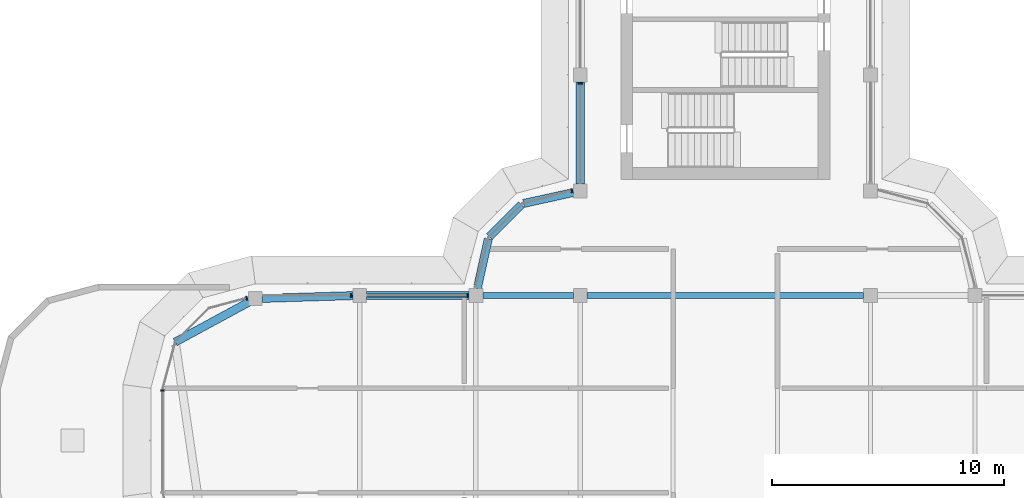
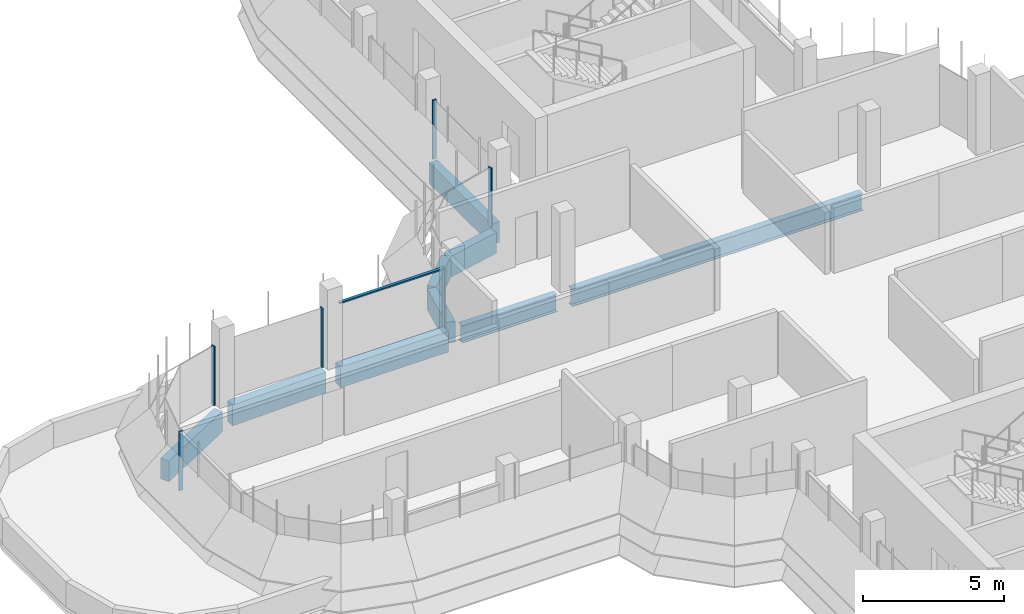
# One storey, part 6 of 20: 9 beams, 7 members, 5 elements without a shape of their own.
"""IFC4 building model written with IfcOpenShell, lengths in metres."""

from ifc_helpers import new_model, si_unit, direction, frame, origin, origin_2d, place, context, subcontext, project, spatial, polyline, rectangle, i_section, outline, extrude, source, transform, mapped, material, material_profile, profile_set, type_object, element, aggregate, save


model = new_model("IFC4")

# Units and contexts
model_context = context("Model", 3, precision=1e-05, world=origin(), true_north=direction((0.0, 1.0)))
body_context = subcontext(model_context, "Body", "Model", "MODEL_VIEW")
ifc_project = project(units=[si_unit("LENGTHUNIT", "METRE"), si_unit("AREAUNIT", "SQUARE_METRE"), si_unit("VOLUMEUNIT", "CUBIC_METRE"), si_unit("PLANEANGLEUNIT", "RADIAN"), si_unit("MASSUNIT", "GRAM", prefix="KILO")], contexts=[model_context])

# Site, building, storey
site_placement = place(None, origin())
site = spatial("IfcSite", under=ifc_project, at=site_placement, CompositionType="ELEMENT")
building_placement = place(site_placement, origin())
building = spatial("IfcBuilding", under=site, at=building_placement, Name="Zarbagh Exchange Tower", CompositionType="ELEMENT")
storey_placement = place(building_placement, frame((0.0, 0.0, 291.60009765625)))
storey = spatial("IfcBuildingStorey", under=building, at=storey_placement, Name="L71", CompositionType="ELEMENT", Elevation=291.60009765625)

# Beams
ifc_material_1 = material(Name="Steel ASTM A992 Gr 50", Category="steel")
ifc_material_profile_1 = material_profile(ifc_material_1, i_section(OverallWidth=0.26416015625, OverallDepth=0.749267578125, WebThickness=0.011962890625, FlangeThickness=0.015380859375, at=origin_2d()), Name="W30X90")
ifc_profile_set_1 = profile_set([ifc_material_profile_1], Name="Steel ASTM A992 Gr 50")
beam_type_1 = type_object("IfcBeamType", Name="Floor girder W30X90", PredefinedType="BEAM", material=ifc_profile_set_1)
beam_1_placement = place(storey_placement, frame((-10.449951171875, 6.25, -0.524658203125), z_axis=(1.0, 0.0, 0.0), x_axis=(0.0, 1.0, 0.0)))
element("IfcBeam", 1, at=beam_1_placement, inside=storey, type_object=beam_type_1, Name="Steel girder", PredefinedType="BEAM", context=body_context, shape_type="SweptSolid", body=[
    extrude(i_section(OverallWidth=0.26416015625, OverallDepth=0.749267578125, WebThickness=0.011962890625, FlangeThickness=0.015380859375, at=origin_2d()), origin(), (0.0, 0.0, 1.0), 3.89990234375),
])
beam_2_placement = place(storey_placement, frame((-5.949951171875, 6.25, -0.524658203125), z_axis=(1.0, 0.0, 0.0), x_axis=(0.0, 1.0, 0.0)))
element("IfcBeam", 2, at=beam_2_placement, inside=storey, type_object=beam_type_1, Name="Steel girder", PredefinedType="BEAM", context=body_context, shape_type="SweptSolid", body=[
    extrude(i_section(OverallWidth=0.26416015625, OverallDepth=0.749267578125, WebThickness=0.011962890625, FlangeThickness=0.015380859375, at=origin_2d()), origin(), (0.0, 0.0, 1.0), 11.89990234375),
])
ifc_material_2 = material(Name="Concrete C40/50", Category="concrete")
ifc_material_profile_2 = material_profile(ifc_material_2, rectangle(XDim=0.35009765625, YDim=0.89990234375, at=origin_2d()), Name="RC spandrel beam 350 x 900 C40/50")
ifc_profile_set_2 = profile_set([ifc_material_profile_2], Name="Concrete C40/50")
beam_type_2 = type_object("IfcBeamType", Name="RC spandrel beam 350 x 900 C40/50", PredefinedType="SPANDREL", material=ifc_profile_set_2)
beam_3_placement = place(storey_placement, frame((-23.69873046875, 4.2412109375, -0.60009765625), z_axis=(0.879208451731, 0.476437297454, 0.0), x_axis=(-0.476437297454, 0.879208451731, 0.0)))
element("IfcBeam", 3, at=beam_3_placement, inside=storey, type_object=beam_type_2, Name="RC spandrel beam", PredefinedType="SPANDREL", context=body_context, shape_type="SweptSolid", body=[
    extrude(rectangle(XDim=0.35009765625, YDim=0.89990234375, at=origin_2d()), origin(), (0.0, 0.0, 1.0), 3.622314453125),
])
beam_4_placement = place(storey_placement, frame((-19.9501953125, 6.119384765625, -0.60009765625), z_axis=(0.999516460907, 0.031094121249, 0.0), x_axis=(-0.031094121249, 0.999516460907, 0.0)))
element("IfcBeam", 4, at=beam_4_placement, inside=storey, type_object=beam_type_2, Name="RC spandrel beam", PredefinedType="SPANDREL", context=body_context, shape_type="SweptSolid", body=[
    extrude(rectangle(XDim=0.35009765625, YDim=0.89990234375, at=origin_2d()), origin(), (0.0, 0.0, 1.0), 3.90234375),
])
beam_5_placement = place(storey_placement, frame((-15.449951171875, 6.25, -0.60009765625), z_axis=(1.0, 0.0, 0.0), x_axis=(0.0, 1.0, 0.0)))
element("IfcBeam", 5, at=beam_5_placement, inside=storey, type_object=beam_type_2, Name="RC spandrel beam", PredefinedType="SPANDREL", context=body_context, shape_type="SweptSolid", body=[
    extrude(rectangle(XDim=0.35009765625, YDim=0.89990234375, at=origin_2d()), origin(), (0.0, 0.0, 1.0), 4.39990234375),
])
beam_6_placement = place(storey_placement, frame((-10.685302734375, 6.54296875, -0.60009765625), z_axis=(0.216025770228, 0.976387662047, 0.0), x_axis=(-0.976387662047, 0.216025770228, 0.0)))
element("IfcBeam", 6, at=beam_6_placement, inside=storey, type_object=beam_type_2, Name="RC spandrel beam", PredefinedType="SPANDREL", context=body_context, shape_type="SweptSolid", body=[
    extrude(rectangle(XDim=0.35009765625, YDim=0.89990234375, at=origin_2d()), origin(), (0.0, 0.0, 1.0), 2.200439453125),
])
beam_7_placement = place(storey_placement, frame((-10.16259765625, 8.77734375, -0.60009765625), z_axis=(0.707106781187, 0.707106781187, 0.0), x_axis=(-0.707106781187, 0.707106781187, 0.0)))
element("IfcBeam", 7, at=beam_7_placement, inside=storey, type_object=beam_type_2, Name="RC spandrel beam", PredefinedType="SPANDREL", context=body_context, shape_type="SweptSolid", body=[
    extrude(rectangle(XDim=0.35009765625, YDim=0.89990234375, at=origin_2d()), origin(), (0.0, 0.0, 1.0), 1.958984375),
])
beam_8_placement = place(storey_placement, frame((-8.69140625, 10.2099609375, -0.60009765625), z_axis=(0.976387662047, 0.216025770228, 0.0), x_axis=(-0.216025770228, 0.976387662047, 0.0)))
element("IfcBeam", 8, at=beam_8_placement, inside=storey, type_object=beam_type_2, Name="RC spandrel beam", PredefinedType="SPANDREL", context=body_context, shape_type="SweptSolid", body=[
    extrude(rectangle(XDim=0.35009765625, YDim=0.89990234375, at=origin_2d()), origin(), (0.0, 0.0, 1.0), 2.200439453125),
])
beam_9_placement = place(storey_placement, frame((-6.25, 11.050048828125, -0.60009765625), z_axis=(0.0, 1.0, 0.0), x_axis=(-1.0, 0.0, 0.0)))
element("IfcBeam", 9, at=beam_9_placement, inside=storey, type_object=beam_type_2, Name="RC spandrel beam", PredefinedType="SPANDREL", context=body_context, shape_type="SweptSolid", body=[
    extrude(rectangle(XDim=0.35009765625, YDim=0.89990234375, at=origin_2d()), origin(), (0.0, 0.0, 1.0), 4.39990234375),
])

# Curtain wall, member
ifc_material_3 = material(Name="Anodised aluminium frame and glazing", Category="aluminium")
curtain_wall_type = type_object("IfcCurtainWallType", Name="CWF Crown tier glazing", PredefinedType="NOTDEFINED", material=ifc_material_3)
curtain_wall_1_placement = place(storey_placement, origin())
curtain_wall_1 = element("IfcCurtainWall", 10, at=curtain_wall_1_placement, inside=storey, type_object=curtain_wall_type, Name="CWF31 curtain wall", PredefinedType="NOTDEFINED")
ifc_material_4 = material(Name="Anodised aluminium frame", Category="aluminium")
member_type_1 = type_object("IfcMemberType", Name="TRF Transom, anodised aluminium frame", PredefinedType="USERDEFINED", material=ifc_material_4)
shared_shape_1 = source(origin(), body_context, "Body", "SweptSolid", [
    extrude(outline(polyline([(-0.06005859375, -0.06005859375), (0.0, -0.06005859375), (0.0, 0.06005859375), (-0.06005859375, 0.06005859375), (-0.06005859375, -0.06005859375)])), origin(), (0.0, 0.0, 1.0), 4.260009765625),
])
placement = place(storey_placement, origin())
member_1 = element("IfcMember", 11, at=placement, type_object=member_type_1, Name="CWF31 transom 1.1", ObjectType="TRANSOM", PredefinedType="USERDEFINED", context=body_context, shape_type="MappedRepresentation", body=[
    mapped(shared_shape_1, transform((-11.150146484375, 6.25, 2.5498046875), x_axis=(0.0, 0.0, 1.0), y_axis=(0.0, 1.0, 0.0), z_axis=(-1.0, 0.0, 0.0))),
])

curtain_wall_2_placement = place(storey_placement, origin())
curtain_wall_2 = element("IfcCurtainWall", 12, at=curtain_wall_2_placement, inside=storey, type_object=curtain_wall_type, Name="CWF27 curtain wall", PredefinedType="NOTDEFINED")
member_type_2 = type_object("IfcMemberType", Name="MUF Mullion, anodised aluminium frame", PredefinedType="MULLION", material=ifc_material_4)
shared_shape_2 = source(origin(), body_context, "Body", "SweptSolid", [
    extrude(outline(polyline([(0.0, -0.080078125), (0.06005859375, -0.080078125), (0.06005859375, 0.080078125), (0.0, 0.080078125), (0.0, -0.080078125)])), origin(), (0.0, 0.0, 1.0), 2.550048828125),
])
member_2 = element("IfcMember", 13, at=placement, type_object=member_type_2, Name="CWF27 mullion 3.1", PredefinedType="MULLION", context=body_context, shape_type="MappedRepresentation", body=[
    mapped(shared_shape_2, transform((-6.25, 15.409912109375, 0.0), x_axis=(0.0, -1.0, 0.0), y_axis=(1.0, 0.0, 0.0), z_axis=(0.0, 0.0, 1.0))),
])
aggregate(curtain_wall_2, [member_2])

curtain_wall_3_placement = place(storey_placement, origin())
curtain_wall_3 = element("IfcCurtainWall", 14, at=curtain_wall_3_placement, inside=storey, type_object=curtain_wall_type, Name="CWF28 curtain wall", PredefinedType="NOTDEFINED")
member_3 = element("IfcMember", 15, at=placement, type_object=member_type_2, Name="CWF28 mullion 1.1", PredefinedType="MULLION", context=body_context, shape_type="MappedRepresentation", body=[
    mapped(shared_shape_2, transform((-6.590087890625, 10.775146484375, 0.0), x_axis=(-0.965924289636, -0.258824779902, 0.0), y_axis=(0.258824779902, -0.965924289636, 0.0), z_axis=(0.0, 0.0, 1.0))),
])
aggregate(curtain_wall_3, [member_3])

# Member
member_4 = element("IfcMember", 16, at=placement, type_object=member_type_2, Name="CWF31 mullion 1.1", PredefinedType="MULLION", context=body_context, shape_type="MappedRepresentation", body=[
    mapped(shared_shape_2, transform((-11.090087890625, 6.25, 0.0), x_axis=(-1.0, 0.0, 0.0), y_axis=(0.0, -1.0, 0.0), z_axis=(0.0, 0.0, 1.0))),
])

member_5 = element("IfcMember", 17, at=placement, type_object=member_type_2, Name="CWF31 mullion 2.1", PredefinedType="MULLION", context=body_context, shape_type="MappedRepresentation", body=[
    mapped(shared_shape_2, transform((-16.090087890625, 6.25, 0.0), x_axis=(-1.0, 0.0, 0.0), y_axis=(0.0, -1.0, 0.0), z_axis=(0.0, 0.0, 1.0))),
])

aggregate(curtain_wall_1, [member_4, member_1, member_5])

# Curtain wall, member
curtain_wall_4_placement = place(storey_placement, origin())
curtain_wall_4 = element("IfcCurtainWall", 18, at=curtain_wall_4_placement, inside=storey, type_object=curtain_wall_type, Name="CWF32 curtain wall", PredefinedType="NOTDEFINED")
member_6 = element("IfcMember", 19, at=placement, type_object=member_type_2, Name="CWF32 mullion 1.1", PredefinedType="MULLION", context=body_context, shape_type="MappedRepresentation", body=[
    mapped(shared_shape_2, transform((-20.58984375, 6.141357421875, 0.0), x_axis=(-0.965924289636, -0.258824779902, 0.0), y_axis=(0.258824779902, -0.965924289636, 0.0), z_axis=(0.0, 0.0, 1.0))),
])
aggregate(curtain_wall_4, [member_6])

curtain_wall_5_placement = place(storey_placement, origin())
curtain_wall_5 = element("IfcCurtainWall", 20, at=curtain_wall_5_placement, inside=storey, type_object=curtain_wall_type, Name="CWF35 curtain wall", PredefinedType="NOTDEFINED")
member_7 = element("IfcMember", 21, at=placement, type_object=member_type_2, Name="CWF35 mullion 1.1", PredefinedType="MULLION", context=body_context, shape_type="MappedRepresentation", body=[
    mapped(shared_shape_2, transform((-24.25, 2.18408203125, 0.0), x_axis=(0.0, -1.0, 0.0), y_axis=(1.0, 0.0, 0.0), z_axis=(0.0, 0.0, 1.0))),
])
aggregate(curtain_wall_5, [member_7])

save(model, "model.ifc")
